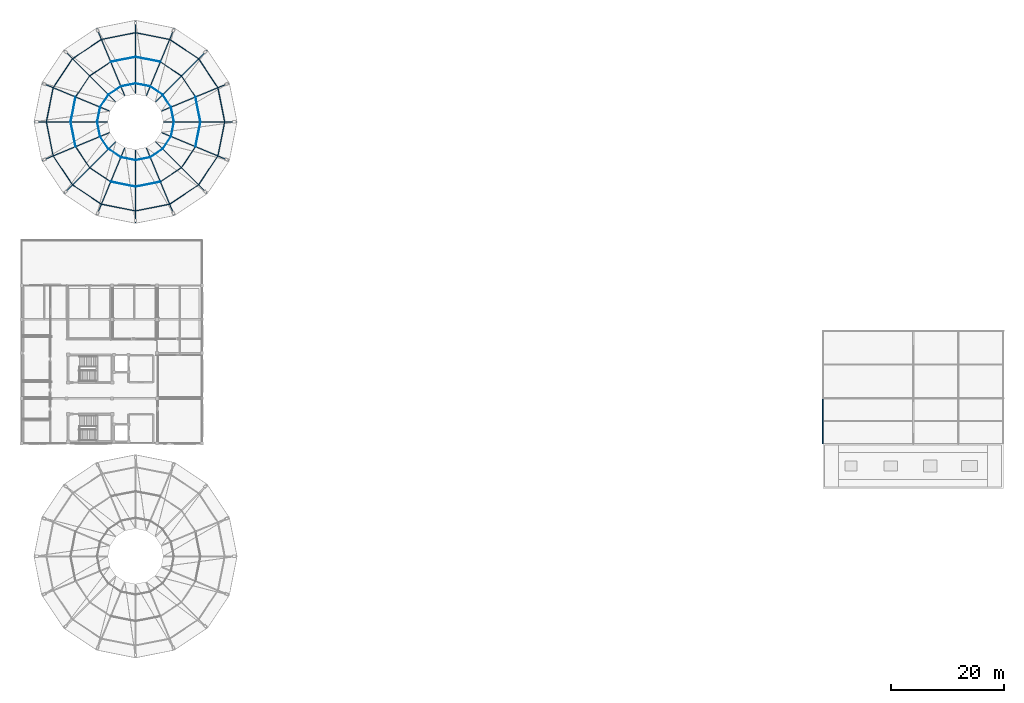
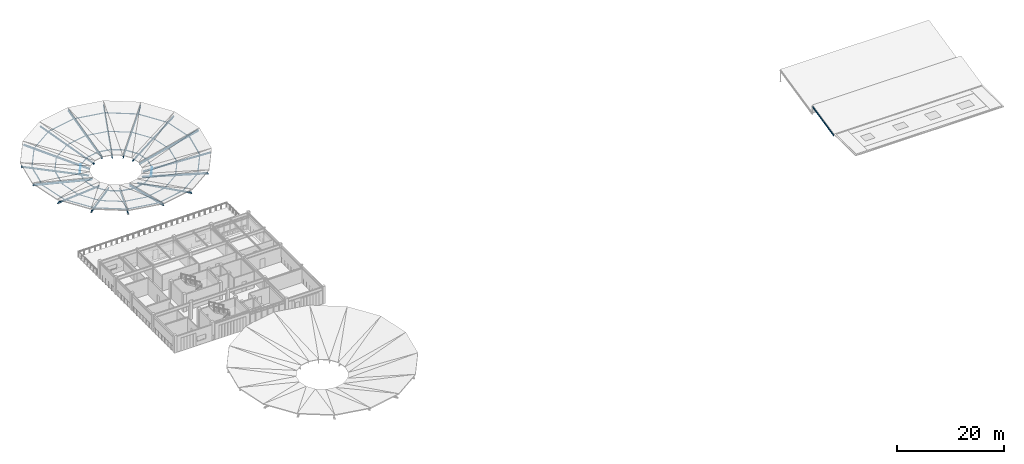
# One storey, part 9 of 31: 65 members.
"""IFC4 building model written with IfcOpenShell, lengths in metres."""

from ifc_helpers import new_model, si_unit, direction, frame, origin, origin_2d, place, context, subcontext, project, spatial, hollow_rectangle, i_section, extrude, material, material_profile, profile_set, type_object, element, save


model = new_model("IFC4")

# Units and contexts
model_context = context("Model", 3, precision=1e-05, world=origin(), true_north=direction((0.0, 1.0)))
body_context = subcontext(model_context, "Body", "Model", "MODEL_VIEW")
ifc_project = project(units=[si_unit("LENGTHUNIT", "METRE"), si_unit("AREAUNIT", "SQUARE_METRE"), si_unit("VOLUMEUNIT", "CUBIC_METRE"), si_unit("PLANEANGLEUNIT", "RADIAN"), si_unit("MASSUNIT", "GRAM", prefix="KILO")], contexts=[model_context])

# Site, building, storey
site_placement = place(None, origin())
site = spatial("IfcSite", under=ifc_project, at=site_placement, CompositionType="ELEMENT")
building_placement = place(site_placement, origin())
building = spatial("IfcBuilding", under=site, at=building_placement, Name="Celadon Cloister-Ring School", CompositionType="ELEMENT")
storey_placement = place(building_placement, frame((0.0, 0.0, 16.5)))
storey = spatial("IfcBuildingStorey", under=building, at=storey_placement, Name="L04", CompositionType="ELEMENT", Elevation=16.5)

# Members
ifc_material_1 = material(Name="Structural steel S355JR", Category="steel")
ifc_material_profile_1 = material_profile(ifc_material_1, hollow_rectangle(XDim=0.10009765625, YDim=0.199951171875, WallThickness=0.008056640625, at=origin_2d()), Name="HSS200X100X8")
ifc_profile_set_1 = profile_set([ifc_material_profile_1], Name="Structural steel S355JR")
member_type_1 = type_object("IfcMemberType", Name="MP-01", PredefinedType="PURLIN", material=ifc_profile_set_1)
member_1_placement = place(storey_placement, frame((36.0048828125, 96.97509765625, 1.970947265625), z_axis=(-0.195141599345, 0.980775079315, 0.0), x_axis=(-0.980775079315, -0.195141599345, 0.0)))
element("IfcMember", 1, at=member_1_placement, inside=storey, type_object=member_type_1, Name="Structural Member 0303", PredefinedType="PURLIN", context=body_context, shape_type="SweptSolid", body=[
    extrude(hollow_rectangle(XDim=0.10009765625, YDim=0.199951171875, WallThickness=0.008056640625, at=origin_2d()), origin(), (0.0, 0.0, 1.0), 6.21533203125),
])
for number, where, z_axis, x_axis, name in (
    (2, (34.81103515625, 103.02490234375, 1.970947265625), (-0.555551941849, 0.831481833781, 0.0), (-0.831481833781, -0.555551941849, 0.0), "Structural Member 0304"),
    (3, (31.39306640625, 108.157958984375, 1.970947265625), (-0.83146971042, 0.555570086176, 0.0), (-0.555570086176, -0.83146971042, 0.0), "Structural Member 0305"),
):
    element("IfcMember", number, at=place(storey_placement, frame(where, z_axis=z_axis, x_axis=x_axis)), inside=storey, type_object=member_type_1, Name=name, PredefinedType="PURLIN", context=body_context, shape_type="SweptSolid", body=[
        extrude(hollow_rectangle(XDim=0.10009765625, YDim=0.199951171875, WallThickness=0.008056640625, at=origin_2d()), origin(), (0.0, 0.0, 1.0), 6.215576171875),
    ])
member_2_placement = place(storey_placement, frame((26.27099609375, 111.592041015625, 1.970947265625), z_axis=(-0.980775079315, 0.195141599345, 0.0), x_axis=(-0.195141599345, -0.980775079315, 0.0)))
element("IfcMember", 4, at=member_2_placement, inside=storey, type_object=member_type_1, Name="Structural Member 0306", PredefinedType="PURLIN", context=body_context, shape_type="SweptSolid", body=[
    extrude(hollow_rectangle(XDim=0.10009765625, YDim=0.199951171875, WallThickness=0.008056640625, at=origin_2d()), origin(), (0.0, 0.0, 1.0), 6.21533203125),
])
for number, where, z_axis, x_axis, name in (
    (5, (20.22509765625, 112.804931640625, 1.970947265625), (-0.980776575009, -0.195134081884, 0.0), (0.195134081884, -0.980776575009, 0.0), "Structural Member 0307"),
    (6, (14.175048828125, 111.611083984375, 1.970947265625), (-0.83146971042, -0.555570086176, 0.0), (0.555570086176, -0.83146971042, 0.0), "Structural Member 0308"),
    (7, (9.0419921875, 108.193115234375, 1.970947265625), (-0.555524785451, -0.831499977601, 0.0), (0.831499977601, -0.555524785451, 0.0), "Structural Member 0309"),
):
    element("IfcMember", number, at=place(storey_placement, frame(where, z_axis=z_axis, x_axis=x_axis)), inside=storey, type_object=member_type_1, Name=name, PredefinedType="PURLIN", context=body_context, shape_type="SweptSolid", body=[
        extrude(hollow_rectangle(XDim=0.10009765625, YDim=0.199951171875, WallThickness=0.008056640625, at=origin_2d()), origin(), (0.0, 0.0, 1.0), 6.215576171875),
    ])
for number, where, z_axis, x_axis, name in (
    (8, (5.60791015625, 103.071044921875, 1.970947265625), (-0.195141599345, -0.980775079315, 0.0), (0.980775079315, -0.195141599345, 0.0), "Structural Member 0310"),
    (9, (4.39501953125, 97.02490234375, 1.970947265625), (0.195141599345, -0.980775079315, 0.0), (0.980775079315, 0.195141599345, 0.0), "Structural Member 0311"),
):
    element("IfcMember", number, at=place(storey_placement, frame(where, z_axis=z_axis, x_axis=x_axis)), inside=storey, type_object=member_type_1, Name=name, PredefinedType="PURLIN", context=body_context, shape_type="SweptSolid", body=[
        extrude(hollow_rectangle(XDim=0.10009765625, YDim=0.199951171875, WallThickness=0.008056640625, at=origin_2d()), origin(), (0.0, 0.0, 1.0), 6.21533203125),
    ])
for number, where, z_axis, x_axis, name in (
    (10, (5.589111328125, 90.97509765625, 1.970947265625), (0.555524785451, -0.831499977601, 0.0), (0.831499977601, 0.555524785451, 0.0), "Structural Member 0312"),
    (11, (9.007080078125, 85.842041015625, 1.970947265625), (0.83146971042, -0.555570086176, 0.0), (0.555570086176, 0.83146971042, 0.0), "Structural Member 0313"),
    (12, (14.12890625, 82.407958984375, 1.970947265625), (0.980776575009, -0.195134081884, 0.0), (0.195134081884, 0.980776575009, 0.0), "Structural Member 0314"),
):
    element("IfcMember", number, at=place(storey_placement, frame(where, z_axis=z_axis, x_axis=x_axis)), inside=storey, type_object=member_type_1, Name=name, PredefinedType="PURLIN", context=body_context, shape_type="SweptSolid", body=[
        extrude(hollow_rectangle(XDim=0.10009765625, YDim=0.199951171875, WallThickness=0.008056640625, at=origin_2d()), origin(), (0.0, 0.0, 1.0), 6.215576171875),
    ])
member_3_placement = place(storey_placement, frame((20.175048828125, 81.195068359375, 1.970947265625), z_axis=(0.980775079315, 0.195141599345, 0.0), x_axis=(-0.195141599345, 0.980775079315, 0.0)))
element("IfcMember", 13, at=member_3_placement, inside=storey, type_object=member_type_1, Name="Structural Member 0315", PredefinedType="PURLIN", context=body_context, shape_type="SweptSolid", body=[
    extrude(hollow_rectangle(XDim=0.10009765625, YDim=0.199951171875, WallThickness=0.008056640625, at=origin_2d()), origin(), (0.0, 0.0, 1.0), 6.21533203125),
])
for number, where, z_axis, x_axis, name in (
    (14, (26.22509765625, 82.388916015625, 1.970947265625), (0.83146971042, 0.555570086176, 0.0), (-0.555570086176, 0.83146971042, 0.0), "Structural Member 0316"),
    (15, (31.35791015625, 85.806884765625, 1.970947265625), (0.555551941849, 0.831481833781, 0.0), (-0.831481833781, 0.555551941849, 0.0), "Structural Member 0317"),
):
    element("IfcMember", number, at=place(storey_placement, frame(where, z_axis=z_axis, x_axis=x_axis)), inside=storey, type_object=member_type_1, Name=name, PredefinedType="PURLIN", context=body_context, shape_type="SweptSolid", body=[
        extrude(hollow_rectangle(XDim=0.10009765625, YDim=0.199951171875, WallThickness=0.008056640625, at=origin_2d()), origin(), (0.0, 0.0, 1.0), 6.215576171875),
    ])
member_4_placement = place(storey_placement, frame((34.7919921875, 90.928955078125, 1.970947265625), z_axis=(0.195141599345, 0.980775079315, 0.0), x_axis=(-0.980775079315, 0.195141599345, 0.0)))
element("IfcMember", 16, at=member_4_placement, inside=storey, type_object=member_type_1, Name="Structural Member 0318", PredefinedType="PURLIN", context=body_context, shape_type="SweptSolid", body=[
    extrude(hollow_rectangle(XDim=0.10009765625, YDim=0.199951171875, WallThickness=0.008056640625, at=origin_2d()), origin(), (0.0, 0.0, 1.0), 6.21533203125),
])
ifc_material_2 = material(Name="Structural steel S355JR", Category="steel")
ifc_material_profile_2 = material_profile(ifc_material_2, hollow_rectangle(XDim=0.090087890625, YDim=0.179931640625, WallThickness=0.006103515625, at=origin_2d()), Name="HSS180X90X6")
ifc_profile_set_2 = profile_set([ifc_material_profile_2], Name="Structural steel S355JR")
member_type_2 = type_object("IfcMemberType", Name="MP-02", PredefinedType="PURLIN", material=ifc_profile_set_2)
member_5_placement = place(storey_placement, frame((31.705078125, 96.97509765625, 0.714111328125), z_axis=(-0.195019351943, 0.980799394559, 0.0), x_axis=(-0.980799394559, -0.195019351943, 0.0)))
element("IfcMember", 17, at=member_5_placement, inside=storey, type_object=member_type_2, Name="Structural Member 0287", PredefinedType="PURLIN", context=body_context, shape_type="SweptSolid", body=[
    extrude(hollow_rectangle(XDim=0.090087890625, YDim=0.179931640625, WallThickness=0.006103515625, at=origin_2d()), origin(), (0.0, 0.0, 1.0), 4.5380859375),
])
member_6_placement = place(storey_placement, frame((30.839111328125, 101.3798828125, 0.714111328125), z_axis=(-0.555544164986, 0.831487029814, 0.0), x_axis=(-0.831487029814, -0.555544164986, 0.0)))
element("IfcMember", 18, at=member_6_placement, inside=storey, type_object=member_type_2, Name="Structural Member 0288", PredefinedType="PURLIN", context=body_context, shape_type="SweptSolid", body=[
    extrude(hollow_rectangle(XDim=0.090087890625, YDim=0.179931640625, WallThickness=0.006103515625, at=origin_2d()), origin(), (0.0, 0.0, 1.0), 4.537841796875),
])
member_7_placement = place(storey_placement, frame((28.35302734375, 105.117919921875, 0.714111328125), z_axis=(-0.831470424282, 0.555569017804, 0.0), x_axis=(-0.555569017804, -0.831470424282, 0.0)))
element("IfcMember", 19, at=member_7_placement, inside=storey, type_object=member_type_2, Name="Structural Member 0289", PredefinedType="PURLIN", context=body_context, shape_type="SweptSolid", body=[
    extrude(hollow_rectangle(XDim=0.090087890625, YDim=0.179931640625, WallThickness=0.006103515625, at=origin_2d()), origin(), (0.0, 0.0, 1.0), 4.53759765625),
])
member_8_placement = place(storey_placement, frame((24.6259765625, 107.6201171875, 0.714111328125), z_axis=(-0.980809683591, 0.194967598779, 0.0), x_axis=(-0.194967598779, -0.980809683591, 0.0)))
element("IfcMember", 20, at=member_8_placement, inside=storey, type_object=member_type_2, Name="Structural Member 0290", PredefinedType="PURLIN", context=body_context, shape_type="SweptSolid", body=[
    extrude(hollow_rectangle(XDim=0.090087890625, YDim=0.179931640625, WallThickness=0.006103515625, at=origin_2d()), origin(), (0.0, 0.0, 1.0), 4.5380859375),
])
member_9_placement = place(storey_placement, frame((20.22509765625, 108.5048828125, 0.714111328125), z_axis=(-0.980811728457, -0.194957311536, 0.0), x_axis=(0.194957311536, -0.980811728457, 0.0)))
element("IfcMember", 21, at=member_9_placement, inside=storey, type_object=member_type_2, Name="Structural Member 0291", PredefinedType="PURLIN", context=body_context, shape_type="SweptSolid", body=[
    extrude(hollow_rectangle(XDim=0.090087890625, YDim=0.179931640625, WallThickness=0.006103515625, at=origin_2d()), origin(), (0.0, 0.0, 1.0), 4.538330078125),
])
member_10_placement = place(storey_placement, frame((15.820068359375, 107.638916015625, 0.714111328125), z_axis=(-0.831470424282, -0.555569017804, 0.0), x_axis=(0.555569017804, -0.831470424282, 0.0)))
element("IfcMember", 22, at=member_10_placement, inside=storey, type_object=member_type_2, Name="Structural Member 0292", PredefinedType="PURLIN", context=body_context, shape_type="SweptSolid", body=[
    extrude(hollow_rectangle(XDim=0.090087890625, YDim=0.179931640625, WallThickness=0.006103515625, at=origin_2d()), origin(), (0.0, 0.0, 1.0), 4.53759765625),
])
member_11_placement = place(storey_placement, frame((12.08203125, 105.153076171875, 0.714111328125), z_axis=(-0.555544164986, -0.831487029814, 0.0), x_axis=(0.831487029814, -0.555544164986, 0.0)))
element("IfcMember", 23, at=member_11_placement, inside=storey, type_object=member_type_2, Name="Structural Member 0293", PredefinedType="PURLIN", context=body_context, shape_type="SweptSolid", body=[
    extrude(hollow_rectangle(XDim=0.090087890625, YDim=0.179931640625, WallThickness=0.006103515625, at=origin_2d()), origin(), (0.0, 0.0, 1.0), 4.537841796875),
])
for number, where, z_axis, x_axis, name in (
    (24, (9.580078125, 101.426025390625, 0.714111328125), (-0.195019351943, -0.980799394559, 0.0), (0.980799394559, -0.195019351943, 0.0), "Structural Member 0294"),
    (25, (8.695068359375, 97.02490234375, 0.714111328125), (0.195019351943, -0.980799394559, 0.0), (0.980799394559, 0.195019351943, 0.0), "Structural Member 0295"),
):
    element("IfcMember", number, at=place(storey_placement, frame(where, z_axis=z_axis, x_axis=x_axis)), inside=storey, type_object=member_type_2, Name=name, PredefinedType="PURLIN", context=body_context, shape_type="SweptSolid", body=[
        extrude(hollow_rectangle(XDim=0.090087890625, YDim=0.179931640625, WallThickness=0.006103515625, at=origin_2d()), origin(), (0.0, 0.0, 1.0), 4.5380859375),
    ])
member_12_placement = place(storey_placement, frame((9.56103515625, 92.6201171875, 0.714111328125), z_axis=(0.555544164986, -0.831487029814, 0.0), x_axis=(0.831487029814, 0.555544164986, 0.0)))
element("IfcMember", 26, at=member_12_placement, inside=storey, type_object=member_type_2, Name="Structural Member 0296", PredefinedType="PURLIN", context=body_context, shape_type="SweptSolid", body=[
    extrude(hollow_rectangle(XDim=0.090087890625, YDim=0.179931640625, WallThickness=0.006103515625, at=origin_2d()), origin(), (0.0, 0.0, 1.0), 4.537841796875),
])
member_13_placement = place(storey_placement, frame((12.047119140625, 88.882080078125, 0.714111328125), z_axis=(0.831470424282, -0.555569017804, 0.0), x_axis=(0.555569017804, 0.831470424282, 0.0)))
element("IfcMember", 27, at=member_13_placement, inside=storey, type_object=member_type_2, Name="Structural Member 0297", PredefinedType="PURLIN", context=body_context, shape_type="SweptSolid", body=[
    extrude(hollow_rectangle(XDim=0.090087890625, YDim=0.179931640625, WallThickness=0.006103515625, at=origin_2d()), origin(), (0.0, 0.0, 1.0), 4.53759765625),
])
member_14_placement = place(storey_placement, frame((15.77392578125, 86.3798828125, 0.714111328125), z_axis=(0.980811728457, -0.194957311536, 0.0), x_axis=(0.194957311536, 0.980811728457, 0.0)))
element("IfcMember", 28, at=member_14_placement, inside=storey, type_object=member_type_2, Name="Structural Member 0298", PredefinedType="PURLIN", context=body_context, shape_type="SweptSolid", body=[
    extrude(hollow_rectangle(XDim=0.090087890625, YDim=0.179931640625, WallThickness=0.006103515625, at=origin_2d()), origin(), (0.0, 0.0, 1.0), 4.538330078125),
])
member_15_placement = place(storey_placement, frame((20.175048828125, 85.4951171875, 0.714111328125), z_axis=(0.980809683591, 0.194967598779, 0.0), x_axis=(-0.194967598779, 0.980809683591, 0.0)))
element("IfcMember", 29, at=member_15_placement, inside=storey, type_object=member_type_2, Name="Structural Member 0299", PredefinedType="PURLIN", context=body_context, shape_type="SweptSolid", body=[
    extrude(hollow_rectangle(XDim=0.090087890625, YDim=0.179931640625, WallThickness=0.006103515625, at=origin_2d()), origin(), (0.0, 0.0, 1.0), 4.5380859375),
])
member_16_placement = place(storey_placement, frame((24.580078125, 86.361083984375, 0.714111328125), z_axis=(0.831470424282, 0.555569017804, 0.0), x_axis=(-0.555569017804, 0.831470424282, 0.0)))
element("IfcMember", 30, at=member_16_placement, inside=storey, type_object=member_type_2, Name="Structural Member 0300", PredefinedType="PURLIN", context=body_context, shape_type="SweptSolid", body=[
    extrude(hollow_rectangle(XDim=0.090087890625, YDim=0.179931640625, WallThickness=0.006103515625, at=origin_2d()), origin(), (0.0, 0.0, 1.0), 4.53759765625),
])
member_17_placement = place(storey_placement, frame((28.318115234375, 88.846923828125, 0.714111328125), z_axis=(0.555544164986, 0.831487029814, 0.0), x_axis=(-0.831487029814, 0.555544164986, 0.0)))
element("IfcMember", 31, at=member_17_placement, inside=storey, type_object=member_type_2, Name="Structural Member 0301", PredefinedType="PURLIN", context=body_context, shape_type="SweptSolid", body=[
    extrude(hollow_rectangle(XDim=0.090087890625, YDim=0.179931640625, WallThickness=0.006103515625, at=origin_2d()), origin(), (0.0, 0.0, 1.0), 4.537841796875),
])
member_18_placement = place(storey_placement, frame((30.820068359375, 92.573974609375, 0.714111328125), z_axis=(0.195019351943, 0.980799394559, 0.0), x_axis=(-0.980799394559, 0.195019351943, 0.0)))
element("IfcMember", 32, at=member_18_placement, inside=storey, type_object=member_type_2, Name="Structural Member 0302", PredefinedType="PURLIN", context=body_context, shape_type="SweptSolid", body=[
    extrude(hollow_rectangle(XDim=0.090087890625, YDim=0.179931640625, WallThickness=0.006103515625, at=origin_2d()), origin(), (0.0, 0.0, 1.0), 4.5380859375),
])
ifc_material_3 = material(Name="Structural steel S355JR", Category="steel")
ifc_material_profile_3 = material_profile(ifc_material_3, hollow_rectangle(XDim=0.074951171875, YDim=0.14990234375, WallThickness=0.006103515625, at=origin_2d()), Name="HSS150X75X6")
ifc_profile_set_3 = profile_set([ifc_material_profile_3], Name="Structural steel S355JR")
member_type_3 = type_object("IfcMemberType", Name="MP-03", PredefinedType="PURLIN", material=ifc_profile_set_3)
for number, where, z_axis, x_axis, name in (
    (33, (27.0048828125, 96.97509765625, -0.156005859375), (-0.195213123579, 0.980760845661, 0.0), (-0.980760845661, -0.195213123579, 0.0), "Structural Member 0271"),
    (34, (26.49609375, 99.5810546875, -0.156005859375), (-0.555595896174, 0.831452464158, 0.0), (-0.831452464158, -0.555595896174, 0.0), "Structural Member 0272"),
):
    element("IfcMember", number, at=place(storey_placement, frame(where, z_axis=z_axis, x_axis=x_axis)), inside=storey, type_object=member_type_3, Name=name, PredefinedType="PURLIN", context=body_context, shape_type="SweptSolid", body=[
        extrude(hollow_rectangle(XDim=0.074951171875, YDim=0.14990234375, WallThickness=0.006103515625, at=origin_2d()), origin(), (0.0, 0.0, 1.0), 2.703857421875),
    ])
member_19_placement = place(storey_placement, frame((25.029052734375, 101.7939453125, -0.156005859375), z_axis=(-0.831494176633, 0.555533468141, 0.0), x_axis=(-0.555533468141, -0.831494176633, 0.0)))
element("IfcMember", 35, at=member_19_placement, inside=storey, type_object=member_type_3, Name="Structural Member 0273", PredefinedType="PURLIN", context=body_context, shape_type="SweptSolid", body=[
    extrude(hollow_rectangle(XDim=0.074951171875, YDim=0.14990234375, WallThickness=0.006103515625, at=origin_2d()), origin(), (0.0, 0.0, 1.0), 2.70361328125),
])
member_20_placement = place(storey_placement, frame((22.826904296875, 103.277099609375, -0.156005859375), z_axis=(-0.980760845661, 0.195213123579, 0.0), x_axis=(-0.195213123579, -0.980760845661, 0.0)))
element("IfcMember", 36, at=member_20_placement, inside=storey, type_object=member_type_3, Name="Structural Member 0274", PredefinedType="PURLIN", context=body_context, shape_type="SweptSolid", body=[
    extrude(hollow_rectangle(XDim=0.074951171875, YDim=0.14990234375, WallThickness=0.006103515625, at=origin_2d()), origin(), (0.0, 0.0, 1.0), 2.703857421875),
])
member_21_placement = place(storey_placement, frame((20.22509765625, 103.804931640625, -0.156005859375), z_axis=(-0.980764286099, -0.195195837848, 0.0), x_axis=(0.195195837848, -0.980764286099, 0.0)))
element("IfcMember", 37, at=member_21_placement, inside=storey, type_object=member_type_3, Name="Structural Member 0275", PredefinedType="PURLIN", context=body_context, shape_type="SweptSolid", body=[
    extrude(hollow_rectangle(XDim=0.074951171875, YDim=0.14990234375, WallThickness=0.006103515625, at=origin_2d()), origin(), (0.0, 0.0, 1.0), 2.7041015625),
])
member_22_placement = place(storey_placement, frame((17.618896484375, 103.2958984375, -0.156005859375), z_axis=(-0.831466304945, -0.555575182798, 0.0), x_axis=(0.555575182798, -0.831466304945, 0.0)))
element("IfcMember", 38, at=member_22_placement, inside=storey, type_object=member_type_3, Name="Structural Member 0276", PredefinedType="PURLIN", context=body_context, shape_type="SweptSolid", body=[
    extrude(hollow_rectangle(XDim=0.074951171875, YDim=0.14990234375, WallThickness=0.006103515625, at=origin_2d()), origin(), (0.0, 0.0, 1.0), 2.703369140625),
])
member_23_placement = place(storey_placement, frame((15.406005859375, 101.8291015625, -0.156005859375), z_axis=(-0.555533468141, -0.831494176633, 0.0), x_axis=(0.831494176633, -0.555533468141, 0.0)))
element("IfcMember", 39, at=member_23_placement, inside=storey, type_object=member_type_3, Name="Structural Member 0277", PredefinedType="PURLIN", context=body_context, shape_type="SweptSolid", body=[
    extrude(hollow_rectangle(XDim=0.074951171875, YDim=0.14990234375, WallThickness=0.006103515625, at=origin_2d()), origin(), (0.0, 0.0, 1.0), 2.70361328125),
])
for number, where, z_axis, x_axis, name in (
    (40, (13.923095703125, 99.626953125, -0.156005859375), (-0.19529997323, -0.980743554889, 0.0), (0.980743554889, -0.19529997323, 0.0), "Structural Member 0278"),
    (41, (13.39501953125, 97.02490234375, -0.156005859375), (0.19529997323, -0.980743554889, 0.0), (0.980743554889, 0.19529997323, 0.0), "Structural Member 0279"),
):
    element("IfcMember", number, at=place(storey_placement, frame(where, z_axis=z_axis, x_axis=x_axis)), inside=storey, type_object=member_type_3, Name=name, PredefinedType="PURLIN", context=body_context, shape_type="SweptSolid", body=[
        extrude(hollow_rectangle(XDim=0.074951171875, YDim=0.14990234375, WallThickness=0.006103515625, at=origin_2d()), origin(), (0.0, 0.0, 1.0), 2.703857421875),
    ])
member_24_placement = place(storey_placement, frame((13.904052734375, 94.4189453125, -0.156005859375), z_axis=(0.555533468141, -0.831494176633, 0.0), x_axis=(0.831494176633, 0.555533468141, 0.0)))
element("IfcMember", 42, at=member_24_placement, inside=storey, type_object=member_type_3, Name="Structural Member 0280", PredefinedType="PURLIN", context=body_context, shape_type="SweptSolid", body=[
    extrude(hollow_rectangle(XDim=0.074951171875, YDim=0.14990234375, WallThickness=0.006103515625, at=origin_2d()), origin(), (0.0, 0.0, 1.0), 2.70361328125),
])
member_25_placement = place(storey_placement, frame((15.37109375, 92.2060546875, -0.156005859375), z_axis=(0.831466304945, -0.555575182798, 0.0), x_axis=(0.555575182798, 0.831466304945, 0.0)))
element("IfcMember", 43, at=member_25_placement, inside=storey, type_object=member_type_3, Name="Structural Member 0281", PredefinedType="PURLIN", context=body_context, shape_type="SweptSolid", body=[
    extrude(hollow_rectangle(XDim=0.074951171875, YDim=0.14990234375, WallThickness=0.006103515625, at=origin_2d()), origin(), (0.0, 0.0, 1.0), 2.703369140625),
])
member_26_placement = place(storey_placement, frame((17.572998046875, 90.722900390625, -0.156005859375), z_axis=(0.980764286099, -0.195195837848, 0.0), x_axis=(0.195195837848, 0.980764286099, 0.0)))
element("IfcMember", 44, at=member_26_placement, inside=storey, type_object=member_type_3, Name="Structural Member 0282", PredefinedType="PURLIN", context=body_context, shape_type="SweptSolid", body=[
    extrude(hollow_rectangle(XDim=0.074951171875, YDim=0.14990234375, WallThickness=0.006103515625, at=origin_2d()), origin(), (0.0, 0.0, 1.0), 2.7041015625),
])
member_27_placement = place(storey_placement, frame((20.175048828125, 90.195068359375, -0.156005859375), z_axis=(0.980760845661, 0.195213123579, 0.0), x_axis=(-0.195213123579, 0.980760845661, 0.0)))
element("IfcMember", 45, at=member_27_placement, inside=storey, type_object=member_type_3, Name="Structural Member 0283", PredefinedType="PURLIN", context=body_context, shape_type="SweptSolid", body=[
    extrude(hollow_rectangle(XDim=0.074951171875, YDim=0.14990234375, WallThickness=0.006103515625, at=origin_2d()), origin(), (0.0, 0.0, 1.0), 2.703857421875),
])
member_28_placement = place(storey_placement, frame((22.781005859375, 90.7041015625, -0.156005859375), z_axis=(0.831494176633, 0.555533468141, 0.0), x_axis=(-0.555533468141, 0.831494176633, 0.0)))
element("IfcMember", 46, at=member_28_placement, inside=storey, type_object=member_type_3, Name="Structural Member 0284", PredefinedType="PURLIN", context=body_context, shape_type="SweptSolid", body=[
    extrude(hollow_rectangle(XDim=0.074951171875, YDim=0.14990234375, WallThickness=0.006103515625, at=origin_2d()), origin(), (0.0, 0.0, 1.0), 2.70361328125),
])
for number, where, z_axis, x_axis, name in (
    (47, (24.993896484375, 92.1708984375, -0.156005859375), (0.555595896174, 0.831452464158, 0.0), (-0.831452464158, 0.555595896174, 0.0), "Structural Member 0285"),
    (48, (26.47705078125, 94.373046875, -0.156005859375), (0.195213123579, 0.980760845661, 0.0), (-0.980760845661, 0.195213123579, 0.0), "Structural Member 0286"),
):
    element("IfcMember", number, at=place(storey_placement, frame(where, z_axis=z_axis, x_axis=x_axis)), inside=storey, type_object=member_type_3, Name=name, PredefinedType="PURLIN", context=body_context, shape_type="SweptSolid", body=[
        extrude(hollow_rectangle(XDim=0.074951171875, YDim=0.14990234375, WallThickness=0.006103515625, at=origin_2d()), origin(), (0.0, 0.0, 1.0), 2.703857421875),
    ])
ifc_material_4 = material(Name="Structural steel S355JR", Category="steel")
ifc_material_profile_4 = material_profile(ifc_material_4, i_section(OverallWidth=0.19189453125, OverallDepth=0.462890625, WebThickness=0.010498046875, FlangeThickness=0.017578125, at=origin_2d()), Name="W460X89")
ifc_profile_set_4 = profile_set([ifc_material_profile_4], Name="Structural steel S355JR")
member_type_4 = type_object("IfcMemberType", Name="MR-02", PredefinedType="RAFTER", material=ifc_profile_set_4)
for number, where, z_axis, x_axis, name in (
    (49, (25.25, 97.0, -0.444091796875), (0.970139234669, 0.0, 0.242548686567), (0.0, 1.0, 0.0), "Structural Member 0255"),
    (50, (20.199951171875, 102.050048828125, -0.444091796875), (0.0, 0.970139234669, 0.242548686567), (-1.0, 0.0, 0.0), "Structural Member 0259"),
):
    element("IfcMember", number, at=place(storey_placement, frame(where, z_axis=z_axis, x_axis=x_axis)), inside=storey, type_object=member_type_4, Name=name, PredefinedType="RAFTER", context=body_context, shape_type="SweptSolid", body=[
        extrude(i_section(OverallWidth=0.19189453125, OverallDepth=0.462890625, WebThickness=0.010498046875, FlangeThickness=0.017578125, at=origin_2d()), origin(), (0.0, 0.0, 1.0), 13.194091796875),
    ])
member_29_placement = place(storey_placement, frame((15.14990234375, 97.0, -0.444091796875), z_axis=(-0.97013814606, 0.0, 0.242553040714), x_axis=(0.0, -1.0, 0.0)))
element("IfcMember", 51, at=member_29_placement, inside=storey, type_object=member_type_4, Name="Structural Member 0263", PredefinedType="RAFTER", context=body_context, shape_type="SweptSolid", body=[
    extrude(i_section(OverallWidth=0.19189453125, OverallDepth=0.462890625, WebThickness=0.010498046875, FlangeThickness=0.017578125, at=origin_2d()), origin(), (0.0, 0.0, 1.0), 13.19384765625),
])
member_30_placement = place(storey_placement, frame((20.199951171875, 91.949951171875, -0.444091796875), z_axis=(0.0, -0.970139234669, 0.242548686567), x_axis=(1.0, 0.0, 0.0)))
element("IfcMember", 52, at=member_30_placement, inside=storey, type_object=member_type_4, Name="Structural Member 0267", PredefinedType="RAFTER", context=body_context, shape_type="SweptSolid", body=[
    extrude(i_section(OverallWidth=0.19189453125, OverallDepth=0.462890625, WebThickness=0.010498046875, FlangeThickness=0.017578125, at=origin_2d()), origin(), (0.0, 0.0, 1.0), 13.194091796875),
])
ifc_material_5 = material(Name="Structural steel S355JR", Category="steel")
ifc_material_profile_5 = material_profile(ifc_material_5, i_section(OverallWidth=0.177978515625, OverallDepth=0.406982421875, WebThickness=0.0078125, FlangeThickness=0.0126953125, at=origin_2d()), Name="W410X60")
ifc_profile_set_5 = profile_set([ifc_material_profile_5], Name="Structural steel S355JR")
member_type_5 = type_object("IfcMemberType", Name="MR-04", PredefinedType="RAFTER", material=ifc_profile_set_5)
for number, where, z_axis, x_axis, name in (
    (53, (23.77099609375, 100.571044921875, -0.77099609375), (0.685995217511, 0.685995217511, 0.242530664255), (-0.707106781187, 0.707106781187, 0.0), "Structural Member 0257"),
    (54, (16.62890625, 100.571044921875, -0.77099609375), (-0.685995217511, 0.685995217511, 0.242530664255), (-0.707106781187, -0.707106781187, 0.0), "Structural Member 0261"),
    (55, (16.62890625, 93.428955078125, -0.77099609375), (-0.685995217511, -0.685995217511, 0.242530664255), (0.707106781187, -0.707106781187, 0.0), "Structural Member 0265"),
    (56, (23.77099609375, 93.428955078125, -0.77099609375), (0.685995217511, -0.685995217511, 0.242530664255), (0.707106781187, 0.707106781187, 0.0), "Structural Member 0269"),
):
    element("IfcMember", number, at=place(storey_placement, frame(where, z_axis=z_axis, x_axis=x_axis)), inside=storey, type_object=member_type_5, Name=name, PredefinedType="RAFTER", context=body_context, shape_type="SweptSolid", body=[
        extrude(i_section(OverallWidth=0.177978515625, OverallDepth=0.406982421875, WebThickness=0.0078125, FlangeThickness=0.0126953125, at=origin_2d()), origin(), (0.0, 0.0, 1.0), 13.194091796875),
    ])
ifc_material_6 = material(Name="Structural steel S355JR", Category="steel")
ifc_material_profile_6 = material_profile(ifc_material_6, i_section(OverallWidth=0.1708984375, OverallDepth=0.35498046875, WebThickness=0.007080078125, FlangeThickness=0.01171875, at=origin_2d()), Name="W360X51")
ifc_profile_set_6 = profile_set([ifc_material_profile_6], Name="Structural steel S355JR")
member_type_6 = type_object("IfcMemberType", Name="MR-05", PredefinedType="RAFTER", material=ifc_profile_set_6)
for number, where, z_axis, x_axis, name in (
    (57, (24.865966796875, 98.93310546875, -0.906982421875), (0.896295124179, 0.371249567075, 0.242546509603), (-0.382676368019, 0.923882458628, 0.0), "Structural Member 0256"),
    (58, (22.133056640625, 101.666015625, -0.906982421875), (0.371249567075, 0.896295124179, 0.242546509603), (-0.923882458628, 0.382676368019, 0.0), "Structural Member 0258"),
    (59, (18.26708984375, 101.666015625, -0.906982421875), (-0.371265521533, 0.896288966528, 0.24254484328), (-0.923875714716, -0.382692649207, 0.0), "Structural Member 0260"),
    (60, (15.533935546875, 98.93310546875, -0.906982421875), (-0.896295124179, 0.371249567075, 0.242546509603), (-0.382676368019, -0.923882458628, 0.0), "Structural Member 0262"),
    (61, (15.533935546875, 95.06689453125, -0.906982421875), (-0.896295124179, -0.371249567075, 0.242546509603), (0.382676368019, -0.923882458628, 0.0), "Structural Member 0264"),
    (62, (18.26708984375, 92.333984375, -0.906982421875), (-0.371265521533, -0.896288966528, 0.24254484328), (0.923875714716, -0.382692649207, 0.0), "Structural Member 0266"),
    (63, (22.133056640625, 92.333984375, -0.906982421875), (0.371249567075, -0.896295124179, 0.242546509603), (0.923882458628, 0.382676368019, 0.0), "Structural Member 0268"),
    (64, (24.865966796875, 95.06689453125, -0.906982421875), (0.896295124179, -0.371249567075, 0.242546509603), (0.382676368019, 0.923882458628, 0.0), "Structural Member 0270"),
):
    element("IfcMember", number, at=place(storey_placement, frame(where, z_axis=z_axis, x_axis=x_axis)), inside=storey, type_object=member_type_6, Name=name, PredefinedType="RAFTER", context=body_context, shape_type="SweptSolid", body=[
        extrude(i_section(OverallWidth=0.1708984375, OverallDepth=0.35498046875, WebThickness=0.007080078125, FlangeThickness=0.01171875, at=origin_2d()), origin(), (0.0, 0.0, 1.0), 13.193115234375),
    ])
member_31_placement = place(storey_placement, frame((142.0, 40.0, -0.35302734375), z_axis=(0.0, 0.976128848743, 0.217192243536), x_axis=(-1.0, 0.0, 0.0)))
element("IfcMember", 65, at=member_31_placement, inside=storey, type_object=member_type_6, Name="Structural Member 0589", PredefinedType="RAFTER", context=body_context, shape_type="SweptSolid", body=[
    extrude(i_section(OverallWidth=0.1708984375, OverallDepth=0.35498046875, WebThickness=0.007080078125, FlangeThickness=0.01171875, at=origin_2d()), origin(), (0.0, 0.0, 1.0), 8.195556640625),
])

save(model, "model.ifc")
